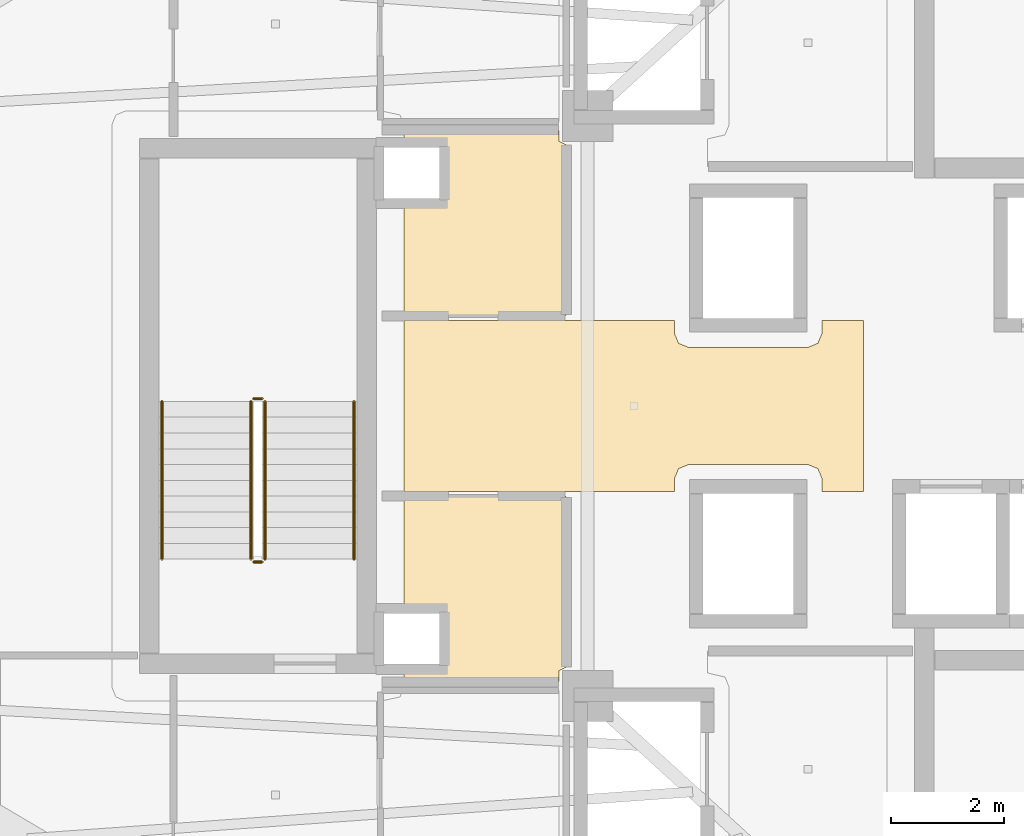
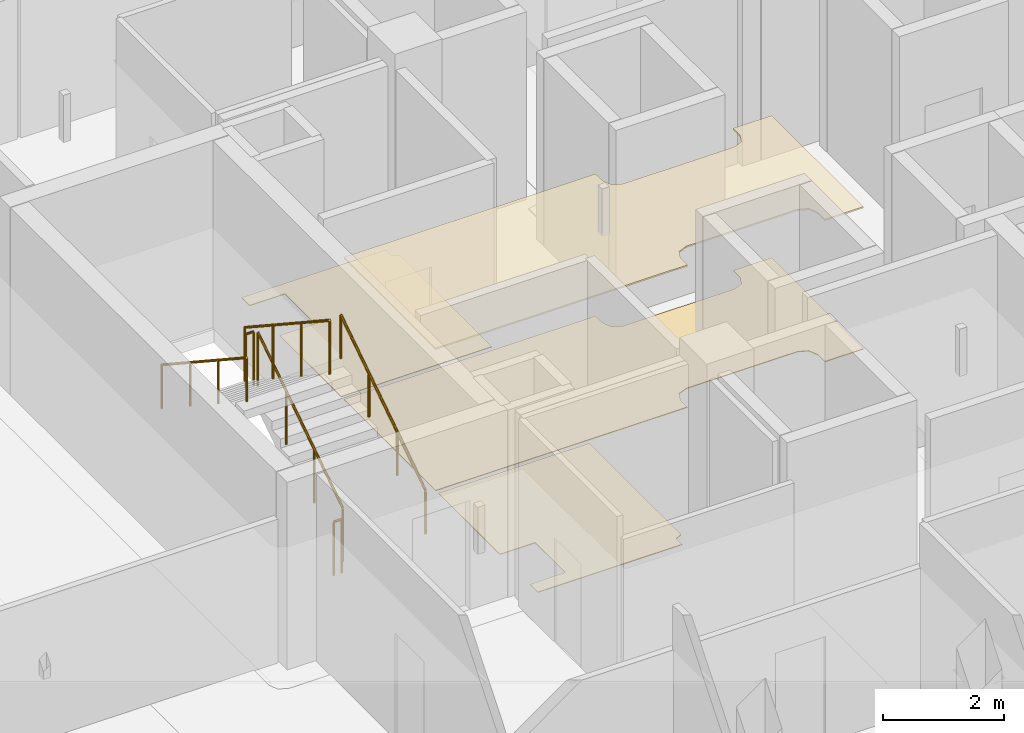
# One storey, part 32 of 37: 6 railings, 4 coverings.
"""IFC4 building model written with IfcOpenShell, lengths in metres."""

from ifc_helpers import new_model, si_unit, direction, frame, origin, origin_2d, place, context, subcontext, project, spatial, polyline, circle, outline, extrude, material, layer, layer_set, type_object, element, save


model = new_model("IFC4")

# Units and contexts
model_context = context("Model", 3, precision=1e-05, world=origin(), true_north=direction((0.0, 1.0)))
body_context = subcontext(model_context, "Body", "Model", "MODEL_VIEW")
ifc_project = project(units=[si_unit("LENGTHUNIT", "METRE"), si_unit("AREAUNIT", "SQUARE_METRE"), si_unit("VOLUMEUNIT", "CUBIC_METRE"), si_unit("PLANEANGLEUNIT", "RADIAN"), si_unit("MASSUNIT", "GRAM", prefix="KILO")], contexts=[model_context])

# Site, building, storey
site_placement = place(None, origin())
site = spatial("IfcSite", under=ifc_project, at=site_placement, CompositionType="ELEMENT")
building_placement = place(site_placement, origin())
building = spatial("IfcBuilding", under=site, at=building_placement, Name="Qorvath Tower", CompositionType="ELEMENT")
storey_placement = place(building_placement, frame((0.0, 0.0, 188.85009765625)))
storey = spatial("IfcBuildingStorey", under=building, at=storey_placement, Name="L43", CompositionType="ELEMENT", Elevation=188.85009765625)

# Coverings
ifc_material_1 = material(Name="Acoustic mineral fibre ceiling tile", Category="gypsum")
ifc_layer_1 = layer(ifc_material_1, 0.030029296875)
ifc_layer_set_1 = layer_set([ifc_layer_1], Name="COV-CEIL")
covering_type_1 = type_object("IfcCoveringType", Name="COV-CEIL", PredefinedType="CEILING", material=ifc_layer_set_1)
covering_1_placement = place(storey_placement, frame((0.0, 0.0, 2.849853515625)))
element("IfcCovering", 1, at=covering_1_placement, inside=storey, type_object=covering_type_1, Name="L43 Suspended Acoustic Ceiling 011", PredefinedType="CEILING", context=body_context, shape_type="SweptSolid", body=[
    extrude(outline(polyline([(-25.6044921875, -1.514892578125), (-25.6044921875, 1.514892578125), (-26.340087890625, 1.514892578125), (-26.340087890625, 1.2900390625), (-26.413330078125, 1.11328125), (-26.590087890625, 1.0400390625), (-28.7099609375, 1.0400390625), (-28.88671875, 1.11328125), (-28.9599609375, 1.2900390625), (-28.9599609375, 1.514892578125), (-33.760009765625, 1.514892578125), (-33.760009765625, -1.514892578125), (-28.9599609375, -1.514892578125), (-28.9599609375, -1.2900390625), (-28.88671875, -1.11328125), (-28.7099609375, -1.0400390625), (-26.590087890625, -1.0400390625), (-26.413330078125, -1.11328125), (-26.340087890625, -1.2900390625), (-26.340087890625, -1.514892578125), (-25.6044921875, -1.514892578125)])), origin(), (0.0, 0.0, 1.0), 0.030029296875),
])
ifc_material_2 = material(Name="Low-VOC modular carpet tile", Category="textile")
ifc_layer_2 = layer(ifc_material_2, 0.014892578125)
ifc_layer_set_2 = layer_set([ifc_layer_2], Name="COV-FLOOR-CPT")
covering_type_2 = type_object("IfcCoveringType", Name="COV-FLOOR-CPT", PredefinedType="FLOORING", material=ifc_layer_set_2)
covering_2_placement = place(storey_placement, origin())
element("IfcCovering", 2, at=covering_2_placement, inside=storey, type_object=covering_type_2, Name="L43 Floor Finish 006", PredefinedType="FLOORING", context=body_context, shape_type="SweptSolid", body=[
    extrude(outline(polyline([(-31.010009765625, 4.89501953125), (-33.760009765625, 4.89501953125), (-33.760009765625, 4.633056640625), (-33.08837890625, 4.631591796875), (-33.0869140625, 3.64208984375), (-33.760009765625, 3.636962890625), (-33.760009765625, 1.60498046875), (-30.885009765625, 1.60498046875), (-30.885009765625, 4.639892578125), (-31.010009765625, 4.699951171875), (-31.010009765625, 4.89501953125)])), origin(), (0.0, 0.0, 1.0), 0.014892578125),
])
covering_3_placement = place(storey_placement, origin())
element("IfcCovering", 3, at=covering_3_placement, inside=storey, type_object=covering_type_2, Name="L43 Floor Finish 008", PredefinedType="FLOORING", context=body_context, shape_type="SweptSolid", body=[
    extrude(outline(polyline([(-30.885009765625, -1.60498046875), (-33.760009765625, -1.60498046875), (-33.760009765625, -3.636962890625), (-33.08837890625, -3.638427734375), (-33.0869140625, -4.6279296875), (-33.760009765625, -4.633056640625), (-33.760009765625, -4.89501953125), (-31.010009765625, -4.89501953125), (-31.010009765625, -4.699951171875), (-30.885009765625, -4.639892578125), (-30.885009765625, -1.60498046875)])), origin(), (0.0, 0.0, 1.0), 0.014892578125),
])
ifc_material_3 = material(Name="Polished epoxy terrazzo flooring", Category="concrete")
ifc_layer_3 = layer(ifc_material_3, 0.02001953125)
ifc_layer_set_3 = layer_set([ifc_layer_3], Name="COV-FLOOR-TRZ")
covering_type_3 = type_object("IfcCoveringType", Name="COV-FLOOR-TRZ", PredefinedType="FLOORING", material=ifc_layer_set_3)
covering_4_placement = place(storey_placement, origin())
element("IfcCovering", 4, at=covering_4_placement, inside=storey, type_object=covering_type_3, Name="L43 Floor Finish 011", PredefinedType="FLOORING", context=body_context, shape_type="SweptSolid", body=[
    extrude(outline(polyline([(-25.6044921875, -1.514892578125), (-25.6044921875, 1.514892578125), (-26.340087890625, 1.514892578125), (-26.340087890625, 1.2900390625), (-26.413330078125, 1.11328125), (-26.590087890625, 1.0400390625), (-28.7099609375, 1.0400390625), (-28.88671875, 1.11328125), (-28.9599609375, 1.2900390625), (-28.9599609375, 1.514892578125), (-33.760009765625, 1.514892578125), (-33.760009765625, -1.514892578125), (-28.9599609375, -1.514892578125), (-28.9599609375, -1.2900390625), (-28.88671875, -1.11328125), (-28.7099609375, -1.0400390625), (-26.590087890625, -1.0400390625), (-26.413330078125, -1.11328125), (-26.340087890625, -1.2900390625), (-26.340087890625, -1.514892578125), (-25.6044921875, -1.514892578125)])), origin(), (0.0, 0.0, 1.0), 0.014892578125),
])

# Railings
ifc_material_4 = material(Name="Painted galvanised steel", Category="steel")
railing_type_1 = type_object("IfcRailingType", Name="RL-STR-GRD", PredefinedType="GUARDRAIL", material=ifc_material_4)
railing_1_placement = place(storey_placement, frame((-36.22998046875, -2.719970703125, 0.18408203125)))
element("IfcRailing", 5, at=railing_1_placement, inside=storey, type_object=railing_type_1, Name="L43 TS3 stair guard 1", PredefinedType="GUARDRAIL", context=body_context, shape_type="SweptSolid", body=[
    extrude(circle(Radius=0.02392578125, at=origin_2d()), frame((0.0, 0.0, 1.076171875), z_axis=(0.0, 0.835597507184, 0.549342157483), x_axis=(-1.0, 0.0, 0.0)), (0.0, 0.0, 1.0), 3.35107421875),
    extrude(circle(Radius=0.02099609375, at=origin_2d()), origin(), (0.0, 0.0, 1.0), 1.052001953125),
    extrude(circle(Radius=0.02099609375, at=origin_2d()), frame((0.0, 0.933349609375, 0.613525390625)), (0.0, 0.0, 1.0), 1.052001953125),
    extrude(circle(Radius=0.02099609375, at=origin_2d()), frame((0.0, 1.86669921875, 1.227294921875)), (0.0, 0.0, 1.0), 1.052001953125),
    extrude(circle(Radius=0.02099609375, at=origin_2d()), frame((0.0, 2.800048828125, 1.8408203125)), (0.0, 0.0, 1.0), 1.052001953125),
])
railing_2_placement = place(storey_placement, frame((-36.280029296875, 0.1298828125, 2.02490234375)))
element("IfcRailing", 6, at=railing_2_placement, inside=storey, type_object=railing_type_1, Name="L43 TS3 stair guard 2", PredefinedType="GUARDRAIL", context=body_context, shape_type="SweptSolid", body=[
    extrude(circle(Radius=0.02392578125, at=origin_2d()), frame((0.0, 0.0, 1.076171875), z_axis=(-1.0, 0.0, 0.0), x_axis=(0.0, -1.0, 0.0)), (0.0, 0.0, 1.0), 0.14990234375),
    extrude(circle(Radius=0.02099609375, at=origin_2d()), origin(), (0.0, 0.0, 1.0), 1.052001953125),
    extrude(circle(Radius=0.02099609375, at=origin_2d()), frame((-0.14990234375, 0.0, 0.0)), (0.0, 0.0, 1.0), 1.052001953125),
])
railing_3_placement = place(storey_placement, frame((-36.47998046875, 0.080078125, 2.208984375)))
element("IfcRailing", 7, at=railing_3_placement, inside=storey, type_object=railing_type_1, Name="L43 TS3 stair guard 3", PredefinedType="GUARDRAIL", context=body_context, shape_type="SweptSolid", body=[
    extrude(circle(Radius=0.02392578125, at=origin_2d()), frame((0.0, 0.0, 1.076171875), z_axis=(0.0, -0.835597507184, 0.549342157483), x_axis=(1.0, 0.0, 0.0)), (0.0, 0.0, 1.0), 3.35107421875),
    extrude(circle(Radius=0.02099609375, at=origin_2d()), origin(), (0.0, 0.0, 1.0), 1.052001953125),
    extrude(circle(Radius=0.02099609375, at=origin_2d()), frame((0.0, -0.933349609375, 0.613525390625)), (0.0, 0.0, 1.0), 1.052001953125),
    extrude(circle(Radius=0.02099609375, at=origin_2d()), frame((0.0, -1.86669921875, 1.227294921875)), (0.0, 0.0, 1.0), 1.052001953125),
    extrude(circle(Radius=0.02099609375, at=origin_2d()), frame((0.0, -2.800048828125, 1.8408203125)), (0.0, 0.0, 1.0), 1.052001953125),
])
railing_4_placement = place(storey_placement, frame((-36.280029296875, -2.77001953125, 0.0)))
element("IfcRailing", 8, at=railing_4_placement, inside=storey, type_object=railing_type_1, Name="L43 TS3 stair guard 4", PredefinedType="GUARDRAIL", context=body_context, shape_type="SweptSolid", body=[
    extrude(circle(Radius=0.02392578125, at=origin_2d()), frame((0.0, 0.0, 1.076171875), z_axis=(-1.0, 0.0, 0.0), x_axis=(0.0, -1.0, 0.0)), (0.0, 0.0, 1.0), 0.14990234375),
    extrude(circle(Radius=0.02099609375, at=origin_2d()), origin(), (0.0, 0.0, 1.0), 1.052001953125),
    extrude(circle(Radius=0.02099609375, at=origin_2d()), frame((-0.14990234375, 0.0, 0.0)), (0.0, 0.0, 1.0), 1.052001953125),
])
ifc_material_5 = material(Name="Brushed stainless steel AISI 304", Category="steel")
railing_type_2 = type_object("IfcRailingType", Name="RL-STR-HND", PredefinedType="HANDRAIL", material=ifc_material_5)
railing_5_placement = place(storey_placement, frame((-34.64990234375, -2.719970703125, 0.18408203125)))
element("IfcRailing", 9, at=railing_5_placement, inside=storey, type_object=railing_type_2, Name="L43 TS3 stair handrail 1", PredefinedType="HANDRAIL", context=body_context, shape_type="SweptSolid", body=[
    extrude(circle(Radius=0.02392578125, at=origin_2d()), frame((0.0, 0.0, 0.8759765625), z_axis=(0.0, 0.835597507184, 0.549342157483), x_axis=(-1.0, 0.0, 0.0)), (0.0, 0.0, 1.0), 3.35107421875),
    extrude(circle(Radius=0.02099609375, at=origin_2d()), origin(), (0.0, 0.0, 1.0), 0.851806640625),
    extrude(circle(Radius=0.02099609375, at=origin_2d()), frame((0.0, 0.933349609375, 0.613525390625)), (0.0, 0.0, 1.0), 0.851806640625),
    extrude(circle(Radius=0.02099609375, at=origin_2d()), frame((0.0, 1.86669921875, 1.227294921875)), (0.0, 0.0, 1.0), 0.851806640625),
    extrude(circle(Radius=0.02099609375, at=origin_2d()), frame((0.0, 2.800048828125, 1.8408203125)), (0.0, 0.0, 1.0), 0.851806640625),
])
railing_6_placement = place(storey_placement, frame((-38.06005859375, 0.080078125, 2.208984375)))
element("IfcRailing", 10, at=railing_6_placement, inside=storey, type_object=railing_type_2, Name="L43 TS3 stair handrail 2", PredefinedType="HANDRAIL", context=body_context, shape_type="SweptSolid", body=[
    extrude(circle(Radius=0.02392578125, at=origin_2d()), frame((0.0, 0.0, 0.8759765625), z_axis=(0.0, -0.835597507184, 0.549342157483), x_axis=(1.0, 0.0, 0.0)), (0.0, 0.0, 1.0), 3.35107421875),
    extrude(circle(Radius=0.02099609375, at=origin_2d()), origin(), (0.0, 0.0, 1.0), 0.851806640625),
    extrude(circle(Radius=0.02099609375, at=origin_2d()), frame((0.0, -0.933349609375, 0.613525390625)), (0.0, 0.0, 1.0), 0.851806640625),
    extrude(circle(Radius=0.02099609375, at=origin_2d()), frame((0.0, -1.86669921875, 1.227294921875)), (0.0, 0.0, 1.0), 0.851806640625),
    extrude(circle(Radius=0.02099609375, at=origin_2d()), frame((0.0, -2.800048828125, 1.8408203125)), (0.0, 0.0, 1.0), 0.851806640625),
])

save(model, "model.ifc")
